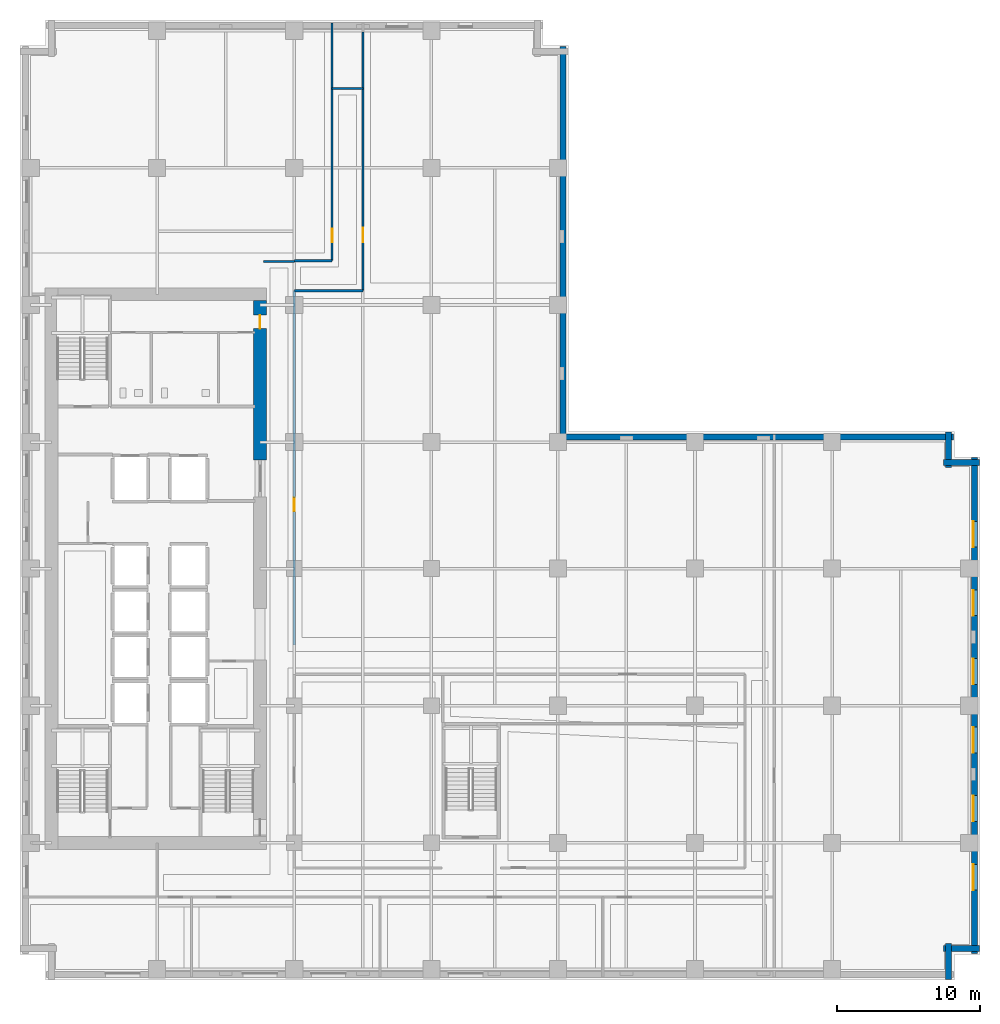
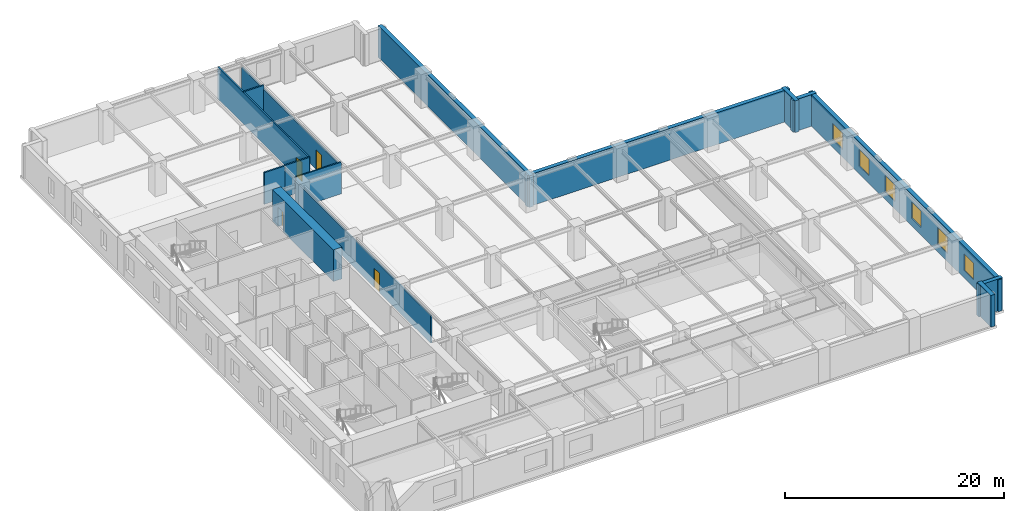
# One storey, part 7 of 13: 15 walls, 6 windows, 4 doors, 10 openings.
"""IFC4 building model written with IfcOpenShell, lengths in metres."""

from ifc_helpers import new_model, si_unit, direction, frame, frame_2d, origin, place, context, subcontext, project, spatial, rectangle, extrude, material, layer, layer_set, type_object, element, fill, save


model = new_model("IFC4")

# Units and contexts
model_context = context("Model", 3, precision=1e-05, world=origin(), true_north=direction((0.0, 1.0)))
body_context = subcontext(model_context, "Body", "Model", "MODEL_VIEW")
ifc_project = project(units=[si_unit("LENGTHUNIT", "METRE"), si_unit("AREAUNIT", "SQUARE_METRE"), si_unit("VOLUMEUNIT", "CUBIC_METRE"), si_unit("PLANEANGLEUNIT", "RADIAN"), si_unit("MASSUNIT", "GRAM", prefix="KILO")], contexts=[model_context])

# Site, building, storey
site_placement = place(None, origin())
site = spatial("IfcSite", under=ifc_project, at=site_placement, CompositionType="ELEMENT")
building_placement = place(site_placement, origin())
building = spatial("IfcBuilding", under=site, at=building_placement, Name="Norrvale University Quadrangle", CompositionType="ELEMENT")
storey_placement = place(building_placement, frame((0.0, 0.0, 39.39990234375)))
storey = spatial("IfcBuildingStorey", under=building, at=storey_placement, Name="L09", CompositionType="ELEMENT", Elevation=39.39990234375)

# Walls
ifc_material_1 = material(Name="Buff Norman Clay Brick Masonry", Category="masonry")
ifc_layer_1 = layer(ifc_material_1, 0.419921875, Name="Buff Norman Clay Brick Masonry")
ifc_layer_set_1 = layer_set([ifc_layer_1], Name="Buff Norman Clay Brick Masonry")
wall_type_1 = type_object("IfcWallType", Name="Wall Buff Brick 420", PredefinedType="SOLIDWALL", material=ifc_layer_set_1)
for number, where, z_axis, x_axis, name in (
    (1, (65.010009765625, 0.0400390625, 0.0), (0.0, 0.0, 1.0), (0.0, 1.0, 0.0), "Exterior Brick Facade Wall L09-02.1"),
    (2, (64.659912109375, 2.18994140625, 0.0), (0.0, 0.0, 1.0), (1.0, 0.0, 0.0), "Exterior Brick Facade Wall L09-03.1"),
):
    element("IfcWall", number, at=place(storey_placement, frame(where, z_axis=z_axis, x_axis=x_axis)), inside=storey, type_object=wall_type_1, Name=name, PredefinedType="SOLIDWALL", context=body_context, shape_type="SweptSolid", body=[
        extrude(rectangle(XDim=2.5, YDim=0.419921875, at=frame_2d((1.25, 0.0))), origin(), (0.0, 0.0, 1.0), 3.5400390625),
    ])

# Wall, openings, windows
wall_1_placement = place(storey_placement, frame((66.81005859375, 1.840087890625, 0.0), z_axis=(0.0, 0.0, 1.0), x_axis=(0.0, 1.0, 0.0)))
wall_1 = element("IfcWall", 3, at=wall_1_placement, inside=storey, type_object=wall_type_1, Name="Exterior Brick Facade Wall L09-04.1", PredefinedType="SOLIDWALL", context=body_context, shape_type="SweptSolid", body=[
    extrude(rectangle(XDim=34.719970703125, YDim=0.419921875, at=frame_2d((17.35986328125, 0.0))), origin(), (0.0, 0.0, 1.0), 3.5400390625),
])
opening_1_placement = place(wall_1_placement, frame((4.4599609375, 0.0, 0.85009765625)))
opening_1 = element("IfcOpeningElement", 4, at=opening_1_placement, cuts=wall_1, Name="Opening W01", PredefinedType="OPENING", context=body_context, shape_type="SweptSolid", body=[
    extrude(rectangle(XDim=1.800048828125, YDim=1.85009765625, at=frame_2d((0.89990234375, 0.925048828125))), frame((0.0, 0.221923828125, 0.0), z_axis=(0.0, -1.0, 0.0), x_axis=(1.0, 0.0, 0.0)), (0.0, 0.0, 1.0), 0.44384765625),
])
opening_2_placement = place(wall_1_placement, frame((9.260009765625, 0.0, 0.85009765625)))
opening_2 = element("IfcOpeningElement", 5, at=opening_2_placement, cuts=wall_1, Name="Opening W01", PredefinedType="OPENING", context=body_context, shape_type="SweptSolid", body=[
    extrude(rectangle(XDim=1.800048828125, YDim=1.85009765625, at=frame_2d((0.89990234375, 0.925048828125))), frame((0.0, 0.221923828125, 0.0), z_axis=(0.0, -1.0, 0.0), x_axis=(1.0, 0.0, 0.0)), (0.0, 0.0, 1.0), 0.44384765625),
])
opening_3_placement = place(wall_1_placement, frame((14.06005859375, 0.0, 0.85009765625)))
opening_3 = element("IfcOpeningElement", 6, at=opening_3_placement, cuts=wall_1, Name="Opening W01", PredefinedType="OPENING", context=body_context, shape_type="SweptSolid", body=[
    extrude(rectangle(XDim=1.800048828125, YDim=1.85009765625, at=frame_2d((0.89990234375, 0.925048828125))), frame((0.0, 0.221923828125, 0.0), z_axis=(0.0, -1.0, 0.0), x_axis=(1.0, 0.0, 0.0)), (0.0, 0.0, 1.0), 0.44384765625),
])
opening_4_placement = place(wall_1_placement, frame((18.860107421875, 0.0, 0.85009765625)))
opening_4 = element("IfcOpeningElement", 7, at=opening_4_placement, cuts=wall_1, Name="Opening W01", PredefinedType="OPENING", context=body_context, shape_type="SweptSolid", body=[
    extrude(rectangle(XDim=1.800048828125, YDim=1.85009765625, at=frame_2d((0.89990234375, 0.925048828125))), frame((0.0, 0.221923828125, 0.0), z_axis=(0.0, -1.0, 0.0), x_axis=(1.0, 0.0, 0.0)), (0.0, 0.0, 1.0), 0.44384765625),
])
opening_5_placement = place(wall_1_placement, frame((23.659912109375, 0.0, 0.85009765625)))
opening_5 = element("IfcOpeningElement", 8, at=opening_5_placement, cuts=wall_1, Name="Opening W01", PredefinedType="OPENING", context=body_context, shape_type="SweptSolid", body=[
    extrude(rectangle(XDim=1.800048828125, YDim=1.85009765625, at=frame_2d((0.89990234375, 0.925048828125))), frame((0.0, 0.221923828125, 0.0), z_axis=(0.0, -1.0, 0.0), x_axis=(1.0, 0.0, 0.0)), (0.0, 0.0, 1.0), 0.44384765625),
])
opening_6_placement = place(wall_1_placement, frame((28.4599609375, 0.0, 0.85009765625)))
opening_6 = element("IfcOpeningElement", 9, at=opening_6_placement, cuts=wall_1, Name="Opening W01", PredefinedType="OPENING", context=body_context, shape_type="SweptSolid", body=[
    extrude(rectangle(XDim=1.800048828125, YDim=1.85009765625, at=frame_2d((0.89990234375, 0.925048828125))), frame((0.0, 0.221923828125, 0.0), z_axis=(0.0, -1.0, 0.0), x_axis=(1.0, 0.0, 0.0)), (0.0, 0.0, 1.0), 0.44384765625),
])
ifc_material_2 = material(Name="Triple Low-E Argon Glazing", Category="glass")
window_type = type_object("IfcWindowType", Name="Window Academic 1800x2300", PartitioningType="DOUBLE_PANEL_VERTICAL", PredefinedType="WINDOW", material=ifc_material_2)
window_1_placement = place(opening_1_placement, origin())
window_1 = element("IfcWindow", 10, at=window_1_placement, inside=storey, type_object=window_type, Name="Window Academic 1800x2300 WIN-L09-E04-1-01", OverallHeight=1.85009765625, OverallWidth=1.800048828125, PartitioningType="DOUBLE_PANEL_VERTICAL", PredefinedType="WINDOW", context=body_context, shape_type="SweptSolid", body=[
    extrude(rectangle(XDim=1.800048828125, YDim=1.85009765625, at=frame_2d((0.89990234375, 0.925048828125))), frame((0.0, 0.110107421875, 0.0), z_axis=(0.0, -1.0, 0.0), x_axis=(1.0, 0.0, 0.0)), (0.0, 0.0, 1.0), 0.06005859375),
])
fill(opening_1, window_1)
window_2_placement = place(opening_2_placement, origin())
window_2 = element("IfcWindow", 11, at=window_2_placement, inside=storey, type_object=window_type, Name="Window Academic 1800x2300 WIN-L09-E04-1-02", OverallHeight=1.85009765625, OverallWidth=1.800048828125, PartitioningType="DOUBLE_PANEL_VERTICAL", PredefinedType="WINDOW", context=body_context, shape_type="SweptSolid", body=[
    extrude(rectangle(XDim=1.800048828125, YDim=1.85009765625, at=frame_2d((0.89990234375, 0.925048828125))), frame((0.0, 0.110107421875, 0.0), z_axis=(0.0, -1.0, 0.0), x_axis=(1.0, 0.0, 0.0)), (0.0, 0.0, 1.0), 0.06005859375),
])
fill(opening_2, window_2)
window_3_placement = place(opening_3_placement, origin())
window_3 = element("IfcWindow", 12, at=window_3_placement, inside=storey, type_object=window_type, Name="Window Academic 1800x2300 WIN-L09-E04-1-03", OverallHeight=1.85009765625, OverallWidth=1.800048828125, PartitioningType="DOUBLE_PANEL_VERTICAL", PredefinedType="WINDOW", context=body_context, shape_type="SweptSolid", body=[
    extrude(rectangle(XDim=1.800048828125, YDim=1.85009765625, at=frame_2d((0.89990234375, 0.925048828125))), frame((0.0, 0.110107421875, 0.0), z_axis=(0.0, -1.0, 0.0), x_axis=(1.0, 0.0, 0.0)), (0.0, 0.0, 1.0), 0.06005859375),
])
fill(opening_3, window_3)
window_4_placement = place(opening_4_placement, origin())
window_4 = element("IfcWindow", 13, at=window_4_placement, inside=storey, type_object=window_type, Name="Window Academic 1800x2300 WIN-L09-E04-1-04", OverallHeight=1.85009765625, OverallWidth=1.800048828125, PartitioningType="DOUBLE_PANEL_VERTICAL", PredefinedType="WINDOW", context=body_context, shape_type="SweptSolid", body=[
    extrude(rectangle(XDim=1.800048828125, YDim=1.85009765625, at=frame_2d((0.89990234375, 0.925048828125))), frame((0.0, 0.110107421875, 0.0), z_axis=(0.0, -1.0, 0.0), x_axis=(1.0, 0.0, 0.0)), (0.0, 0.0, 1.0), 0.06005859375),
])
fill(opening_4, window_4)
window_5_placement = place(opening_5_placement, origin())
window_5 = element("IfcWindow", 14, at=window_5_placement, inside=storey, type_object=window_type, Name="Window Academic 1800x2300 WIN-L09-E04-1-05", OverallHeight=1.85009765625, OverallWidth=1.800048828125, PartitioningType="DOUBLE_PANEL_VERTICAL", PredefinedType="WINDOW", context=body_context, shape_type="SweptSolid", body=[
    extrude(rectangle(XDim=1.800048828125, YDim=1.85009765625, at=frame_2d((0.89990234375, 0.925048828125))), frame((0.0, 0.110107421875, 0.0), z_axis=(0.0, -1.0, 0.0), x_axis=(1.0, 0.0, 0.0)), (0.0, 0.0, 1.0), 0.06005859375),
])
fill(opening_5, window_5)
window_6_placement = place(opening_6_placement, origin())
window_6 = element("IfcWindow", 15, at=window_6_placement, inside=storey, type_object=window_type, Name="Window Academic 1800x2300 WIN-L09-E04-1-06", OverallHeight=1.85009765625, OverallWidth=1.800048828125, PartitioningType="DOUBLE_PANEL_VERTICAL", PredefinedType="WINDOW", context=body_context, shape_type="SweptSolid", body=[
    extrude(rectangle(XDim=1.800048828125, YDim=1.85009765625, at=frame_2d((0.89990234375, 0.925048828125))), frame((0.0, 0.110107421875, 0.0), z_axis=(0.0, -1.0, 0.0), x_axis=(1.0, 0.0, 0.0)), (0.0, 0.0, 1.0), 0.06005859375),
])
fill(opening_6, window_6)

# Walls
for number, where, z_axis, x_axis, name in (
    (16, (67.159912109375, 36.2099609375, 0.0), (0.0, 0.0, 1.0), (-1.0, 0.0, 0.0), "Exterior Brick Facade Wall L09-05.1"),
    (17, (65.010009765625, 35.860107421875, 0.0), (0.0, 0.0, 1.0), (0.0, 1.0, 0.0), "Exterior Brick Facade Wall L09-06.1"),
):
    element("IfcWall", number, at=place(storey_placement, frame(where, z_axis=z_axis, x_axis=x_axis)), inside=storey, type_object=wall_type_1, Name=name, PredefinedType="SOLIDWALL", context=body_context, shape_type="SweptSolid", body=[
        extrude(rectangle(XDim=2.5, YDim=0.419921875, at=frame_2d((1.25, 0.0))), origin(), (0.0, 0.0, 1.0), 3.5400390625),
    ])
for number, where, z_axis, x_axis, name in (
    (18, (65.360107421875, 38.010009765625, 0.0), (0.0, 0.0, 1.0), (-1.0, 0.0, 0.0), "Exterior Brick Facade Wall L09-07.1"),
    (19, (38.010009765625, 37.659912109375, 0.0), (0.0, 0.0, 1.0), (0.0, 1.0, 0.0), "Exterior Brick Facade Wall L09-08.1"),
):
    element("IfcWall", number, at=place(storey_placement, frame(where, z_axis=z_axis, x_axis=x_axis)), inside=storey, type_object=wall_type_1, Name=name, PredefinedType="SOLIDWALL", context=body_context, shape_type="SweptSolid", body=[
        extrude(rectangle(XDim=27.7001953125, YDim=0.419921875, at=frame_2d((13.85009765625, 0.0))), origin(), (0.0, 0.0, 1.0), 3.5400390625),
    ])

# Wall, opening, door
ifc_material_3 = material(Name="Concrete C80/95", Category="concrete")
ifc_layer_2 = layer(ifc_material_3, 0.89990234375, Name="Concrete C80/95")
ifc_layer_set_2 = layer_set([ifc_layer_2], Name="Concrete C80/95")
wall_type_2 = type_object("IfcWallType", Name="Wall Core 900", PredefinedType="SHEAR", material=ifc_layer_set_2)
wall_2_placement = place(storey_placement, frame((16.800048828125, 36.39990234375, 0.0), z_axis=(0.0, 0.0, 1.0), x_axis=(0.0, 1.0, 0.0)))
wall_2 = element("IfcWall", 20, at=wall_2_placement, inside=storey, type_object=wall_type_2, Name="Tower Core Shear Wall L09-E3", PredefinedType="SHEAR", context=body_context, shape_type="SweptSolid", body=[
    extrude(rectangle(XDim=11.150146484375, YDim=0.89990234375, at=frame_2d((5.5751953125, 0.0))), origin(), (0.0, 0.0, 1.0), 3.5400390625),
])
opening_7_placement = place(wall_2_placement, frame((9.199951171875, 0.0, 0.0)))
opening_7 = element("IfcOpeningElement", 21, at=opening_7_placement, cuts=wall_2, Name="Opening D07", PredefinedType="OPENING", context=body_context, shape_type="SweptSolid", body=[
    extrude(rectangle(XDim=0.949951171875, YDim=2.14990234375, at=frame_2d((0.47509765625, 1.074951171875))), frame((0.0, 0.4619140625, 0.0), z_axis=(0.0, -1.0, 0.0), x_axis=(1.0, 0.0, 0.0)), (0.0, 0.0, 1.0), 0.923828125),
])
ifc_material_4 = material(Name="Solid-Core Maple Door", Category="wood")
door_type_1 = type_object("IfcDoorType", Name="Door Office 950x2150", OperationType="NOTDEFINED", PredefinedType="DOOR", material=ifc_material_4)
door_1_placement = place(opening_7_placement, origin())
door_1 = element("IfcDoor", 22, at=door_1_placement, inside=storey, type_object=door_type_1, Name="Door Office 950x2150 DR-L09-NECORR", OperationType="SINGLE_SWING_RIGHT", OverallHeight=2.14990234375, OverallWidth=0.949951171875, PredefinedType="DOOR", context=body_context, shape_type="SweptSolid", body=[
    extrude(rectangle(XDim=0.949951171875, YDim=2.14990234375, at=frame_2d((0.47509765625, 1.074951171875))), frame((0.0, 0.02490234375, 0.0), z_axis=(0.0, -1.0, 0.0), x_axis=(1.0, 0.0, 0.0)), (0.0, 0.0, 1.0), 0.050048828125),
])
fill(opening_7, door_1)

# Wall
ifc_material_5 = material(Name="Fire-Rated Gypsum Stud Partition")
ifc_layer_3 = layer(ifc_material_5, 0.14990234375, Name="Fire-Rated Gypsum Stud Partition")
ifc_layer_set_3 = layer_set([ifc_layer_3], Name="Fire-Rated Gypsum Stud Partition")
wall_type_3 = type_object("IfcWallType", Name="Wall Gypsum Corridor 150", PredefinedType="PARTITIONING", material=ifc_layer_set_3)
wall_3_placement = place(storey_placement, frame((17.050048828125, 50.300048828125, 0.0), z_axis=(0.0, 0.0, 1.0), x_axis=(1.0, 0.0, 0.0)))
element("IfcWall", 23, at=wall_3_placement, inside=storey, type_object=wall_type_3, Name="Interior Partition WL-L09-CN-END", PredefinedType="PARTITIONING", context=body_context, shape_type="SweptSolid", body=[
    extrude(rectangle(XDim=2.14990234375, YDim=0.14990234375, at=frame_2d((1.074951171875, 0.0))), origin(), (0.0, 0.0, 1.0), 3.5400390625),
])

# Wall, opening, door
wall_4_placement = place(storey_placement, frame((19.199951171875, 23.449951171875, 0.0), z_axis=(0.0, 0.0, 1.0), x_axis=(0.0, 1.0, 0.0)))
wall_4 = element("IfcWall", 24, at=wall_4_placement, inside=storey, type_object=wall_type_3, Name="Interior Partition WL-L09-MNECW", PredefinedType="PARTITIONING", context=body_context, shape_type="SweptSolid", body=[
    extrude(rectangle(XDim=24.800048828125, YDim=0.14990234375, at=frame_2d((12.39990234375, 0.0))), origin(), (0.0, 0.0, 1.0), 3.123046875),
])
opening_8_placement = place(wall_4_placement, frame((9.35009765625, 0.0, 0.0)))
opening_8 = element("IfcOpeningElement", 25, at=opening_8_placement, cuts=wall_4, Name="Opening D07", PredefinedType="OPENING", context=body_context, shape_type="SweptSolid", body=[
    extrude(rectangle(XDim=0.949951171875, YDim=2.14990234375, at=frame_2d((0.47509765625, 1.074951171875))), frame((0.0, 0.0869140625, 0.0), z_axis=(0.0, -1.0, 0.0), x_axis=(1.0, 0.0, 0.0)), (0.0, 0.0, 1.0), 0.173828125),
])
door_2_placement = place(opening_8_placement, origin())
door_2 = element("IfcDoor", 26, at=door_2_placement, inside=storey, type_object=door_type_1, Name="Door Office 950x2150 DR-L09-MNE01", OperationType="SINGLE_SWING_RIGHT", OverallHeight=2.14990234375, OverallWidth=0.949951171875, PredefinedType="DOOR", context=body_context, shape_type="SweptSolid", body=[
    extrude(rectangle(XDim=0.949951171875, YDim=2.14990234375, at=frame_2d((0.47509765625, 1.074951171875))), frame((0.0, 0.02490234375, 0.0), z_axis=(0.0, -1.0, 0.0), x_axis=(1.0, 0.0, 0.0)), (0.0, 0.0, 1.0), 0.050048828125),
])
fill(opening_8, door_2)

# Walls
wall_5_placement = place(storey_placement, frame((19.199951171875, 48.25, 0.0), z_axis=(0.0, 0.0, 1.0), x_axis=(1.0, 0.0, 0.0)))
element("IfcWall", 27, at=wall_5_placement, inside=storey, type_object=wall_type_3, Name="Interior Partition WL-L09-JOGS", PredefinedType="PARTITIONING", context=body_context, shape_type="SweptSolid", body=[
    extrude(rectangle(XDim=4.800048828125, YDim=0.14990234375, at=frame_2d((2.39990234375, 0.0))), origin(), (0.0, 0.0, 1.0), 3.5400390625),
])
wall_6_placement = place(storey_placement, frame((19.199951171875, 50.35009765625, 0.0), z_axis=(0.0, 0.0, 1.0), x_axis=(1.0, 0.0, 0.0)))
element("IfcWall", 28, at=wall_6_placement, inside=storey, type_object=wall_type_3, Name="Interior Partition WL-L09-JOGN", PredefinedType="PARTITIONING", context=body_context, shape_type="SweptSolid", body=[
    extrude(rectangle(XDim=2.650146484375, YDim=0.14990234375, at=frame_2d((1.3251953125, 0.0))), origin(), (0.0, 0.0, 1.0), 3.5400390625),
])
wall_7_placement = place(storey_placement, frame((21.85009765625, 62.39990234375, 0.0), z_axis=(0.0, 0.0, 1.0), x_axis=(1.0, 0.0, 0.0)))
element("IfcWall", 29, at=wall_7_placement, inside=storey, type_object=wall_type_3, Name="Interior Partition WL-L09-JOGEND", PredefinedType="PARTITIONING", context=body_context, shape_type="SweptSolid", body=[
    extrude(rectangle(XDim=2.14990234375, YDim=0.14990234375, at=frame_2d((1.074951171875, 0.0))), origin(), (0.0, 0.0, 1.0), 3.5400390625),
])

# Wall, opening, door
wall_8_placement = place(storey_placement, frame((24.0, 48.25, 0.0), z_axis=(0.0, 0.0, 1.0), x_axis=(0.0, 1.0, 0.0)))
wall_8 = element("IfcWall", 30, at=wall_8_placement, inside=storey, type_object=wall_type_3, Name="Interior Partition WL-L09-NECW", PredefinedType="PARTITIONING", context=body_context, shape_type="SweptSolid", body=[
    extrude(rectangle(XDim=18.109619140625, YDim=0.14990234375, at=frame_2d((9.0546875, 0.0))), origin(), (0.0, 0.0, 1.0), 3.133056640625),
])
opening_9_placement = place(wall_8_placement, frame((3.39990234375, 0.0, 0.0)))
opening_9 = element("IfcOpeningElement", 31, at=opening_9_placement, cuts=wall_8, Name="Opening D04", PredefinedType="OPENING", context=body_context, shape_type="SweptSolid", body=[
    extrude(rectangle(XDim=1.0, YDim=2.199951171875, at=frame_2d((0.5, 1.10009765625))), frame((0.0, 0.0869140625, 0.0), z_axis=(0.0, -1.0, 0.0), x_axis=(1.0, 0.0, 0.0)), (0.0, 0.0, 1.0), 0.173828125),
])
ifc_material_6 = material(Name="Solid-Core Oak Fire Door", Category="wood")
door_type_2 = type_object("IfcDoorType", Name="Door Corridor 1000x2200", OperationType="NOTDEFINED", PredefinedType="DOOR", material=ifc_material_6)
door_3_placement = place(opening_9_placement, origin())
door_3 = element("IfcDoor", 32, at=door_3_placement, inside=storey, type_object=door_type_2, Name="Door Corridor 1000x2200 DR-L09-NE01", OperationType="SINGLE_SWING_RIGHT", OverallHeight=2.199951171875, OverallWidth=1.0, PredefinedType="DOOR", context=body_context, shape_type="SweptSolid", body=[
    extrude(rectangle(XDim=1.0, YDim=2.199951171875, at=frame_2d((0.5, 1.10009765625))), frame((0.0, 0.02490234375, 0.0), z_axis=(0.0, -1.0, 0.0), x_axis=(1.0, 0.0, 0.0)), (0.0, 0.0, 1.0), 0.050048828125),
])
fill(opening_9, door_3)

wall_9_placement = place(storey_placement, frame((21.85009765625, 50.35009765625, 0.0), z_axis=(0.0, 0.0, 1.0), x_axis=(0.0, 1.0, 0.0)))
wall_9 = element("IfcWall", 33, at=wall_9_placement, inside=storey, type_object=wall_type_3, Name="Interior Partition WL-L09-NWCW", PredefinedType="PARTITIONING", context=body_context, shape_type="SweptSolid", body=[
    extrude(rectangle(XDim=16.6298828125, YDim=0.14990234375, at=frame_2d((8.31494140625, 0.0))), origin(), (0.0, 0.0, 1.0), 3.5400390625),
])
opening_10_placement = place(wall_9_placement, frame((1.300048828125, 0.0, 0.0)))
opening_10 = element("IfcOpeningElement", 34, at=opening_10_placement, cuts=wall_9, Name="Opening D07", PredefinedType="OPENING", context=body_context, shape_type="SweptSolid", body=[
    extrude(rectangle(XDim=0.949951171875, YDim=2.14990234375, at=frame_2d((0.47509765625, 1.074951171875))), frame((0.0, 0.0869140625, 0.0), z_axis=(0.0, -1.0, 0.0), x_axis=(1.0, 0.0, 0.0)), (0.0, 0.0, 1.0), 0.173828125),
])
door_4_placement = place(opening_10_placement, origin())
door_4 = element("IfcDoor", 35, at=door_4_placement, inside=storey, type_object=door_type_1, Name="Door Office 950x2150 DR-L09-NW01", OperationType="SINGLE_SWING_RIGHT", OverallHeight=2.14990234375, OverallWidth=0.949951171875, PredefinedType="DOOR", context=body_context, shape_type="SweptSolid", body=[
    extrude(rectangle(XDim=0.949951171875, YDim=2.14990234375, at=frame_2d((0.47509765625, 1.074951171875))), frame((0.0, 0.02490234375, 0.0), z_axis=(0.0, -1.0, 0.0), x_axis=(1.0, 0.0, 0.0)), (0.0, 0.0, 1.0), 0.050048828125),
])
fill(opening_10, door_4)

save(model, "model.ifc")
